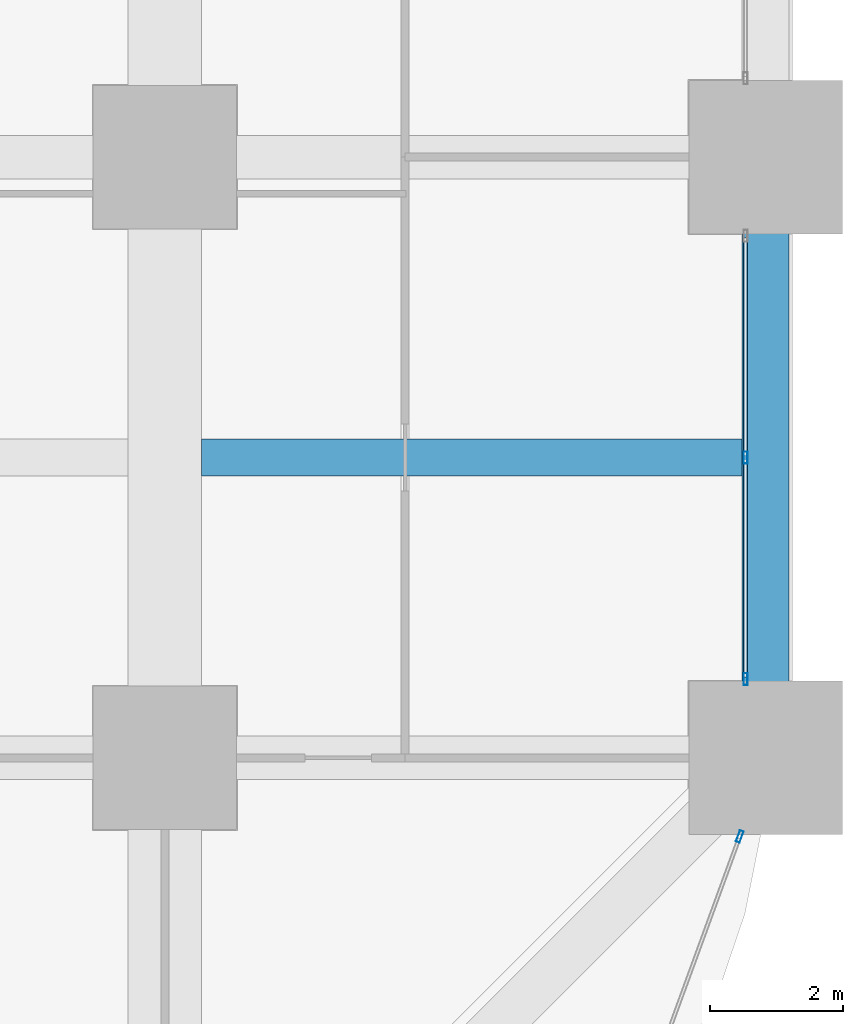
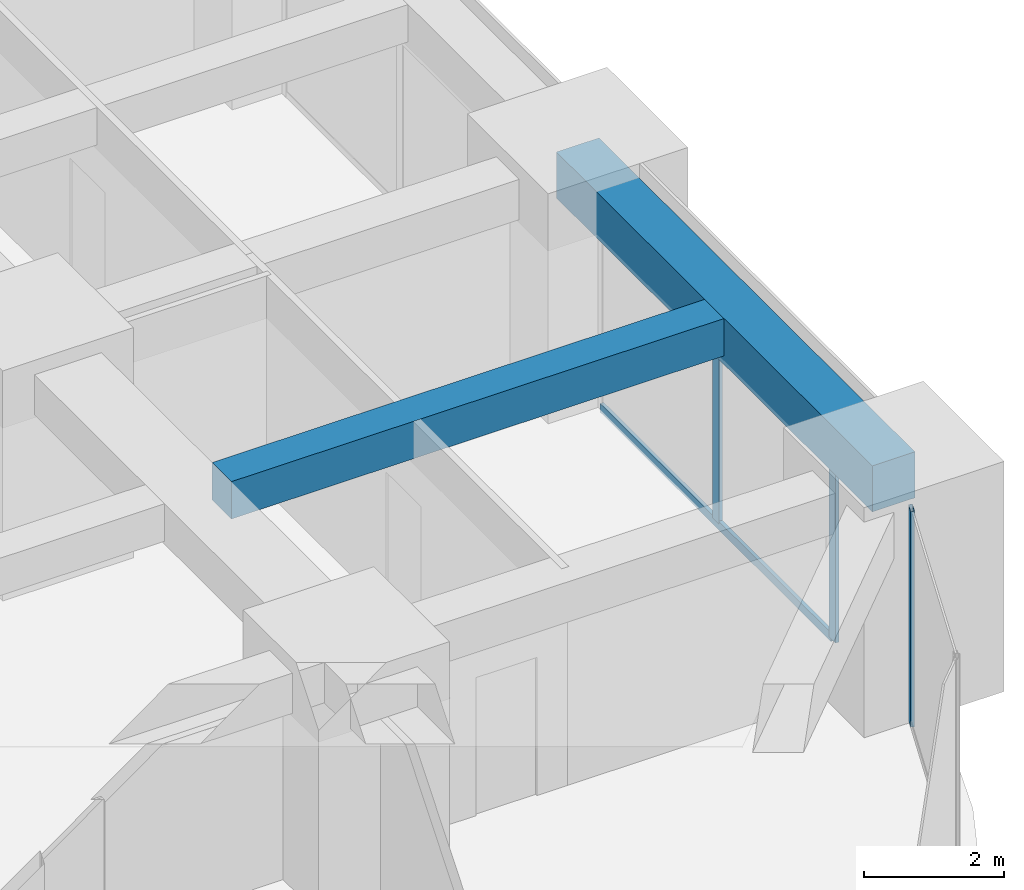
# One storey, part 18 of 44: 4 members, 2 beams, 2 elements without a shape of their own.
"""IFC4 building model written with IfcOpenShell, lengths in metres."""

from ifc_helpers import new_model, si_unit, direction, frame, origin, origin_2d, place, context, subcontext, project, spatial, rectangle, hollow_rectangle, extrude, material, material_profile, profile_set, type_object, element, aggregate, save


model = new_model("IFC4")

# Units and contexts
model_context = context("Model", 3, precision=1e-05, world=origin(), true_north=direction((0.0, 1.0)))
body_context = subcontext(model_context, "Body", "Model", "MODEL_VIEW")
ifc_project = project(units=[si_unit("LENGTHUNIT", "METRE"), si_unit("AREAUNIT", "SQUARE_METRE"), si_unit("VOLUMEUNIT", "CUBIC_METRE"), si_unit("PLANEANGLEUNIT", "RADIAN"), si_unit("MASSUNIT", "GRAM", prefix="KILO")], contexts=[model_context])

# Site, building, storey
site_placement = place(None, origin())
site = spatial("IfcSite", under=ifc_project, at=site_placement, CompositionType="ELEMENT")
building_placement = place(site_placement, origin())
building = spatial("IfcBuilding", under=site, at=building_placement, Name="Zorevar Civic Tower", CompositionType="ELEMENT")
storey_placement = place(building_placement, frame((0.0, 0.0, 51.800048828125)))
storey = spatial("IfcBuildingStorey", under=building, at=storey_placement, Name="L12", CompositionType="ELEMENT", Elevation=51.800048828125)

# Beam
ifc_material_1 = material(Name="Concrete C50/60", Category="concrete")
ifc_material_profile_1 = material_profile(ifc_material_1, rectangle(XDim=0.550048828125, YDim=0.64990234375, at=origin_2d()), Name="RC 550x650")
ifc_profile_set_1 = profile_set([ifc_material_profile_1], Name="Concrete C50/60")
beam_type_1 = type_object("IfcBeamType", Name="Beam RC 550x650", PredefinedType="BEAM", material=ifc_profile_set_1)
beam_1_placement = place(storey_placement, frame((54.550048828125, 13.5, 3.425048828125), z_axis=(1.0, 0.0, 0.0), x_axis=(0.0, 1.0, 0.0)))
element("IfcBeam", 1, at=beam_1_placement, inside=storey, type_object=beam_type_1, Name="Secondary beam L13", PredefinedType="BEAM", context=body_context, shape_type="SweptSolid", body=[
    extrude(rectangle(XDim=0.550048828125, YDim=0.64990234375, at=origin_2d()), origin(), (0.0, 0.0, 1.0), 8.099853515625),
])

# Curtain wall, members
ifc_material_2 = material(Name="Dark grey solar-control glass in black aluminium frame", Category="aluminium")
curtain_wall_type = type_object("IfcCurtainWallType", Name="Curtain wall CW2 low zone", PredefinedType="NOTDEFINED", material=ifc_material_2)
curtain_wall_1_placement = place(storey_placement, origin())
curtain_wall_1 = element("IfcCurtainWall", 2, at=curtain_wall_1_placement, inside=storey, type_object=curtain_wall_type, Name="CW2 L12", PredefinedType="NOTDEFINED")
ifc_material_3 = material(Name="Aluminium, black anodised", Category="aluminium")
ifc_material_profile_2 = material_profile(ifc_material_3, hollow_rectangle(XDim=0.06005859375, YDim=0.179931640625, WallThickness=0.00390625, at=origin_2d()), Name="AL 180x60x4")
ifc_profile_set_2 = profile_set([ifc_material_profile_2], Name="Aluminium, black anodised")
member_type_1 = type_object("IfcMemberType", Name="CW2 mullion AL 180x60x4", PredefinedType="MULLION", material=ifc_profile_set_2)
member_1_placement = place(storey_placement, frame((62.699951171875, 10.179931640625, 0.0), z_axis=(0.0, 0.0, 1.0), x_axis=(-1.0, 0.0, 0.0)))
member_1 = element("IfcMember", 3, at=member_1_placement, type_object=member_type_1, Name="CW2 mullion 1", PredefinedType="MULLION", context=body_context, shape_type="SweptSolid", body=[
    extrude(hollow_rectangle(XDim=0.06005859375, YDim=0.179931640625, WallThickness=0.00390625, at=origin_2d()), origin(), (0.0, 0.0, 1.0), 2.949951171875),
])
member_2_placement = place(storey_placement, frame((62.699951171875, 13.5, 0.06005859375), z_axis=(0.0, 0.0, 1.0), x_axis=(-1.0, 0.0, 0.0)))
member_2 = element("IfcMember", 4, at=member_2_placement, type_object=member_type_1, Name="CW2 mullion 2", PredefinedType="MULLION", context=body_context, shape_type="SweptSolid", body=[
    extrude(hollow_rectangle(XDim=0.06005859375, YDim=0.179931640625, WallThickness=0.00390625, at=origin_2d()), origin(), (0.0, 0.0, 1.0), 2.889892578125),
])

# Curtain wall, member
curtain_wall_2_placement = place(storey_placement, origin())
curtain_wall_2 = element("IfcCurtainWall", 5, at=curtain_wall_2_placement, inside=storey, type_object=curtain_wall_type, Name="CW2 L12", PredefinedType="NOTDEFINED")
member_3_placement = place(storey_placement, frame((62.61328125, 7.82177734375, 0.0), z_axis=(0.0, 0.0, 1.0), x_axis=(-0.939313345732, 0.343060400701, 0.0)))
member_3 = element("IfcMember", 6, at=member_3_placement, type_object=member_type_1, Name="CW2 mullion 2", PredefinedType="MULLION", context=body_context, shape_type="SweptSolid", body=[
    extrude(hollow_rectangle(XDim=0.06005859375, YDim=0.179931640625, WallThickness=0.00390625, at=origin_2d()), origin(), (0.0, 0.0, 1.0), 3.75),
])
aggregate(curtain_wall_2, [member_3])

# Member
ifc_material_4 = material(Name="Aluminium, black anodised", Category="aluminium")
ifc_material_profile_3 = material_profile(ifc_material_4, hollow_rectangle(XDim=0.06005859375, YDim=0.14990234375, WallThickness=0.00390625, at=origin_2d()), Name="AL 150x60x4")
ifc_profile_set_3 = profile_set([ifc_material_profile_3], Name="Aluminium, black anodised")
member_type_2 = type_object("IfcMemberType", Name="CW2 transom AL 150x60x4", PredefinedType="USERDEFINED", material=ifc_profile_set_3)
member_4_placement = place(storey_placement, frame((62.699951171875, 10.2099609375, 0.030029296875), z_axis=(0.0, 1.0, 0.0), x_axis=(-1.0, 0.0, 0.0)))
member_4 = element("IfcMember", 7, at=member_4_placement, type_object=member_type_2, Name="CW2 sill transom", ObjectType="TRANSOM", PredefinedType="USERDEFINED", context=body_context, shape_type="SweptSolid", body=[
    extrude(hollow_rectangle(XDim=0.06005859375, YDim=0.14990234375, WallThickness=0.00390625, at=origin_2d()), origin(), (0.0, 0.0, 1.0), 6.580078125),
])

aggregate(curtain_wall_1, [member_1, member_2, member_4])

# Beam
ifc_material_5 = material(Name="Concrete C50/60", Category="concrete")
ifc_material_profile_4 = material_profile(ifc_material_5, rectangle(XDim=0.699951171875, YDim=0.800048828125, at=origin_2d()), Name="RC 700x800")
ifc_profile_set_4 = profile_set([ifc_material_profile_4], Name="Concrete C50/60")
beam_type_2 = type_object("IfcBeamType", Name="Edge beam RC 700x800", PredefinedType="SPANDREL", material=ifc_profile_set_4)
beam_2_placement = place(storey_placement, frame((63.0, 9.0, 3.349853515625), z_axis=(0.0, 1.0, 0.0), x_axis=(-1.0, 0.0, 0.0)))
element("IfcBeam", 8, at=beam_2_placement, inside=storey, type_object=beam_type_2, Name="Edge beam L13", PredefinedType="SPANDREL", context=body_context, shape_type="SweptSolid", body=[
    extrude(rectangle(XDim=0.699951171875, YDim=0.800048828125, at=origin_2d()), origin(), (0.0, 0.0, 1.0), 9.0),
])

save(model, "model.ifc")
